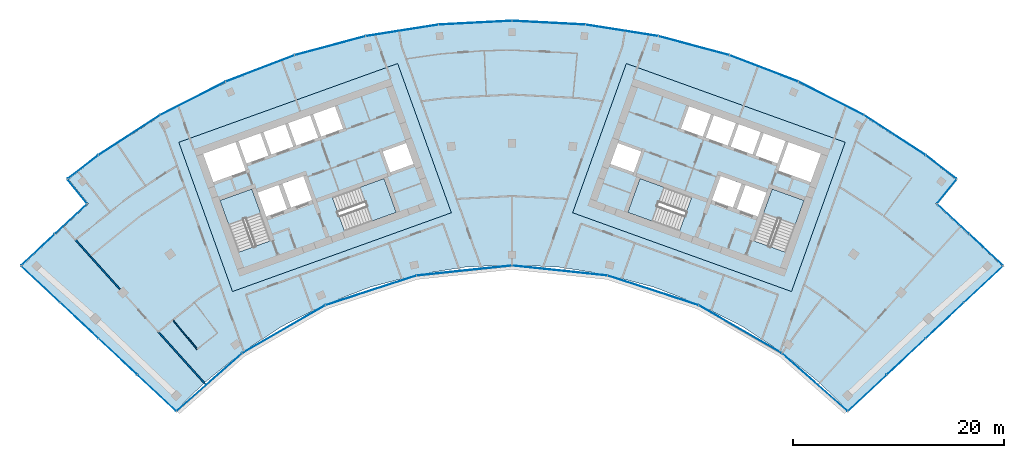
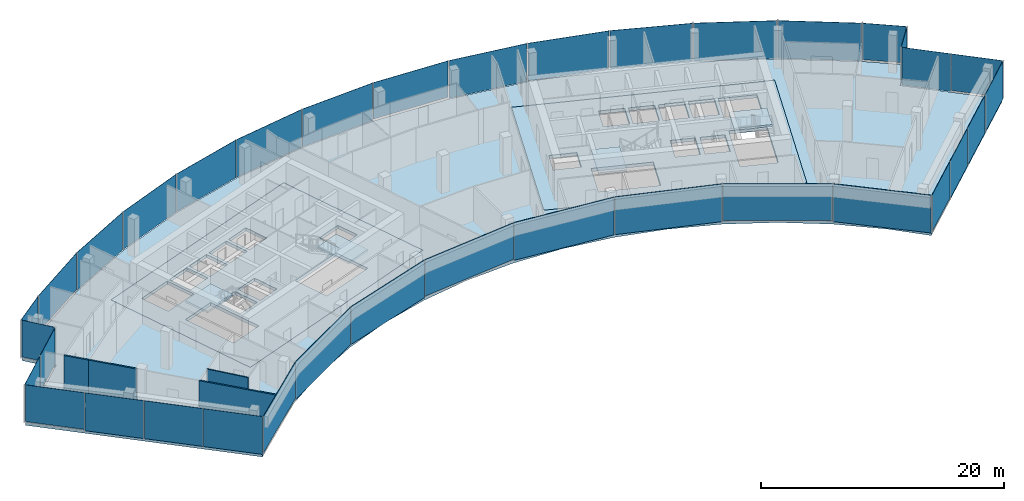
# One storey, part 11 of 18: 36 plates, 7 slabs, 4 walls, 12 elements without a shape of their own.
"""IFC4 building model written with IfcOpenShell, lengths in metres."""

from ifc_helpers import new_model, si_unit, direction, frame, frame_2d, origin, origin_2d, place, context, subcontext, project, spatial, polyline, rectangle, outline, extrude, material, layer, layer_set, type_object, element, aggregate, save


model = new_model("IFC4")

# Units and contexts
model_context = context("Model", 3, precision=1e-05, world=origin(), true_north=direction((0.0, 1.0)))
body_context = subcontext(model_context, "Body", "Model", "MODEL_VIEW")
ifc_project = project(units=[si_unit("LENGTHUNIT", "METRE"), si_unit("AREAUNIT", "SQUARE_METRE"), si_unit("VOLUMEUNIT", "CUBIC_METRE"), si_unit("PLANEANGLEUNIT", "RADIAN"), si_unit("MASSUNIT", "GRAM", prefix="KILO")], contexts=[model_context])

# Site, building, storey
site_placement = place(None, origin())
site = spatial("IfcSite", under=ifc_project, at=site_placement, CompositionType="ELEMENT")
building_placement = place(site_placement, origin())
building = spatial("IfcBuilding", under=site, at=building_placement, Name="Stone Belt Terrace Tower", CompositionType="ELEMENT")
storey_placement = place(building_placement, frame((0.0, 0.0, 265.60009765625)))
storey = spatial("IfcBuildingStorey", under=building, at=storey_placement, Name="L64", CompositionType="ELEMENT", Elevation=265.60009765625)

# Curtain wall, plates
ifc_material_1 = material(Name="Aluminium 6063-T6 anodised frame", Category="aluminium")
ifc_layer_1 = layer(ifc_material_1, 0.14990234375)
ifc_layer_set_1 = layer_set([ifc_layer_1], Name="CW-A unitised convex-face curtain wall")
curtain_wall_type_1 = type_object("IfcCurtainWallType", Name="CW-A unitised convex-face curtain wall", PredefinedType="NOTDEFINED", material=ifc_layer_set_1)
curtain_wall_1_placement = place(storey_placement, origin())
curtain_wall_1 = element("IfcCurtainWall", 1, at=curtain_wall_1_placement, inside=storey, type_object=curtain_wall_type_1, Name="CW-A convex face L64", PredefinedType="NOTDEFINED")
ifc_material_2 = material(Name="Clear double glazed unit")
ifc_layer_2 = layer(ifc_material_2, 0.031982421875)
ifc_layer_set_2 = layer_set([ifc_layer_2], Name="CW-A glass panel 32")
plate_type_1 = type_object("IfcPlateType", Name="CW-A glass panel 32", PredefinedType="CURTAIN_PANEL", material=ifc_layer_set_2)
plate_1_placement = place(storey_placement, frame((40.583251953125, 52.744140625, 0.14013671875), z_axis=(0.0, 0.0, 1.0), x_axis=(-0.792693871824, 0.60961990254, 0.0)))
plate_1 = element("IfcPlate", 2, at=plate_1_placement, type_object=plate_type_1, Name="CW-A panel 1.1", PredefinedType="CURTAIN_PANEL", context=body_context, shape_type="SweptSolid", body=[
    extrude(rectangle(XDim=3.597900390625, YDim=0.031982421875, at=origin_2d()), origin(), (0.0, 0.0, 1.0), 3.659912109375),
])
plate_2_placement = place(storey_placement, frame((36.209716796875, 55.758056640625, 0.0), z_axis=(0.0, 0.0, 1.0), x_axis=(-0.838670567945, 0.544639035015, 0.0)))
plate_2 = element("IfcPlate", 3, at=plate_2_placement, type_object=plate_type_1, Name="CW-A panel 2.1", PredefinedType="CURTAIN_PANEL", context=body_context, shape_type="SweptSolid", body=[
    extrude(rectangle(XDim=6.900634765625, YDim=0.031982421875, at=origin_2d()), origin(), (0.0, 0.0, 1.0), 3.800048828125),
])
plate_3_placement = place(storey_placement, frame((30.18310546875, 59.237548828125, 0.0), z_axis=(0.0, 0.0, 1.0), x_axis=(-0.891006524188, 0.45399049974, 0.0)))
plate_3 = element("IfcPlate", 4, at=plate_3_placement, type_object=plate_type_1, Name="CW-A panel 3.1", PredefinedType="CURTAIN_PANEL", context=body_context, shape_type="SweptSolid", body=[
    extrude(rectangle(XDim=6.90087890625, YDim=0.031982421875, at=origin_2d()), origin(), (0.0, 0.0, 1.0), 3.800048828125),
])
plate_4_placement = place(storey_placement, frame((23.82568359375, 62.068115234375, 0.0), z_axis=(0.0, 0.0, 1.0), x_axis=(-0.933580426497, 0.358367949545, 0.0)))
plate_4 = element("IfcPlate", 5, at=plate_4_placement, type_object=plate_type_1, Name="CW-A panel 4.1", PredefinedType="CURTAIN_PANEL", context=body_context, shape_type="SweptSolid", body=[
    extrude(rectangle(XDim=6.90087890625, YDim=0.031982421875, at=origin_2d()), origin(), (0.0, 0.0, 1.0), 3.800048828125),
])
plate_5_placement = place(storey_placement, frame((17.207275390625, 64.218505859375, 0.0), z_axis=(0.0, 0.0, 1.0), x_axis=(-0.965925826289, 0.258819045103, 0.0)))
plate_5 = element("IfcPlate", 6, at=plate_5_placement, type_object=plate_type_1, Name="CW-A panel 5.1", PredefinedType="CURTAIN_PANEL", context=body_context, shape_type="SweptSolid", body=[
    extrude(rectangle(XDim=6.90087890625, YDim=0.031982421875, at=origin_2d()), origin(), (0.0, 0.0, 1.0), 3.800048828125),
])
plate_6_placement = place(storey_placement, frame((10.400390625, 65.665283203125, 0.0), z_axis=(0.0, 0.0, 1.0), x_axis=(-0.987688340595, 0.15643446504, 0.0)))
plate_6 = element("IfcPlate", 7, at=plate_6_placement, type_object=plate_type_1, Name="CW-A panel 6.1", PredefinedType="CURTAIN_PANEL", context=body_context, shape_type="SweptSolid", body=[
    extrude(rectangle(XDim=6.90087890625, YDim=0.031982421875, at=origin_2d()), origin(), (0.0, 0.0, 1.0), 3.800048828125),
])
plate_7_placement = place(storey_placement, frame((3.4794921875, 66.392822265625, 0.14013671875), z_axis=(0.0, 0.0, 1.0), x_axis=(-0.998629534755, 0.052335956243, 0.0)))
plate_7 = element("IfcPlate", 8, at=plate_7_placement, type_object=plate_type_1, Name="CW-A panel 7.1", PredefinedType="CURTAIN_PANEL", context=body_context, shape_type="SweptSolid", body=[
    extrude(rectangle(XDim=6.90087890625, YDim=0.031982421875, at=origin_2d()), origin(), (0.0, 0.0, 1.0), 3.659912109375),
])
plate_8_placement = place(storey_placement, frame((-3.4794921875, 66.392822265625, 0.0), z_axis=(0.0, 0.0, 1.0), x_axis=(-0.998629534755, -0.052335956243, 0.0)))
plate_8 = element("IfcPlate", 9, at=plate_8_placement, type_object=plate_type_1, Name="CW-A panel 8.1", PredefinedType="CURTAIN_PANEL", context=body_context, shape_type="SweptSolid", body=[
    extrude(rectangle(XDim=6.90087890625, YDim=0.031982421875, at=origin_2d()), origin(), (0.0, 0.0, 1.0), 3.800048828125),
])
plate_9_placement = place(storey_placement, frame((-10.400390625, 65.665283203125, 0.0), z_axis=(0.0, 0.0, 1.0), x_axis=(-0.987688340595, -0.15643446504, 0.0)))
plate_9 = element("IfcPlate", 10, at=plate_9_placement, type_object=plate_type_1, Name="CW-A panel 9.1", PredefinedType="CURTAIN_PANEL", context=body_context, shape_type="SweptSolid", body=[
    extrude(rectangle(XDim=6.90087890625, YDim=0.031982421875, at=origin_2d()), origin(), (0.0, 0.0, 1.0), 3.800048828125),
])
plate_10_placement = place(storey_placement, frame((-17.207275390625, 64.218505859375, 0.0), z_axis=(0.0, 0.0, 1.0), x_axis=(-0.965925826289, -0.258819045103, 0.0)))
plate_10 = element("IfcPlate", 11, at=plate_10_placement, type_object=plate_type_1, Name="CW-A panel 10.1", PredefinedType="CURTAIN_PANEL", context=body_context, shape_type="SweptSolid", body=[
    extrude(rectangle(XDim=6.90087890625, YDim=0.031982421875, at=origin_2d()), origin(), (0.0, 0.0, 1.0), 3.800048828125),
])
plate_11_placement = place(storey_placement, frame((-23.82568359375, 62.068115234375, 0.0), z_axis=(0.0, 0.0, 1.0), x_axis=(-0.933580426497, -0.358367949545, 0.0)))
plate_11 = element("IfcPlate", 12, at=plate_11_placement, type_object=plate_type_1, Name="CW-A panel 11.1", PredefinedType="CURTAIN_PANEL", context=body_context, shape_type="SweptSolid", body=[
    extrude(rectangle(XDim=6.90087890625, YDim=0.031982421875, at=origin_2d()), origin(), (0.0, 0.0, 1.0), 3.800048828125),
])
plate_12_placement = place(storey_placement, frame((-30.18310546875, 59.237548828125, 0.0), z_axis=(0.0, 0.0, 1.0), x_axis=(-0.891006524188, -0.45399049974, 0.0)))
plate_12 = element("IfcPlate", 13, at=plate_12_placement, type_object=plate_type_1, Name="CW-A panel 12.1", PredefinedType="CURTAIN_PANEL", context=body_context, shape_type="SweptSolid", body=[
    extrude(rectangle(XDim=6.90087890625, YDim=0.031982421875, at=origin_2d()), origin(), (0.0, 0.0, 1.0), 3.800048828125),
])
plate_13_placement = place(storey_placement, frame((-36.209716796875, 55.758056640625, 0.14013671875), z_axis=(0.0, 0.0, 1.0), x_axis=(-0.838670567945, -0.544639035015, 0.0)))
plate_13 = element("IfcPlate", 14, at=plate_13_placement, type_object=plate_type_1, Name="CW-A panel 13.1", PredefinedType="CURTAIN_PANEL", context=body_context, shape_type="SweptSolid", body=[
    extrude(rectangle(XDim=6.900634765625, YDim=0.031982421875, at=origin_2d()), origin(), (0.0, 0.0, 1.0), 3.659912109375),
])
plate_14_placement = place(storey_placement, frame((-40.583251953125, 52.744140625, 0.0), z_axis=(0.0, 0.0, 1.0), x_axis=(-0.792693871824, -0.60961990254, 0.0)))
plate_14 = element("IfcPlate", 15, at=plate_14_placement, type_object=plate_type_1, Name="CW-A panel 14.1", PredefinedType="CURTAIN_PANEL", context=body_context, shape_type="SweptSolid", body=[
    extrude(rectangle(XDim=3.597900390625, YDim=0.031982421875, at=origin_2d()), origin(), (0.0, 0.0, 1.0), 3.800048828125),
])
aggregate(curtain_wall_1, [plate_1, plate_2, plate_3, plate_4, plate_5, plate_6, plate_7, plate_8, plate_9, plate_10, plate_11, plate_12, plate_13, plate_14])

ifc_layer_3 = layer(ifc_material_1, 0.14990234375)
ifc_layer_set_3 = layer_set([ifc_layer_3], Name="CW-B unitised concave-face curtain wall")
curtain_wall_type_2 = type_object("IfcCurtainWallType", Name="CW-B unitised concave-face curtain wall", PredefinedType="NOTDEFINED", material=ifc_layer_set_3)
curtain_wall_2_placement = place(storey_placement, origin())
curtain_wall_2 = element("IfcCurtainWall", 16, at=curtain_wall_2_placement, inside=storey, type_object=curtain_wall_type_2, Name="CW-B concave face L64", PredefinedType="NOTDEFINED")
ifc_layer_4 = layer(ifc_material_2, 0.030029296875)
ifc_layer_set_4 = layer_set([ifc_layer_4], Name="CW-B glass panel 30")
plate_type_2 = type_object("IfcPlateType", Name="CW-B glass panel 30", PredefinedType="CURTAIN_PANEL", material=ifc_layer_set_4)
plate_15_placement = place(storey_placement, frame((-28.624755859375, 32.39404296875, 0.1201171875), z_axis=(0.0, 0.0, 1.0), x_axis=(0.749658646805, 0.661824684694, 0.0)))
plate_15 = element("IfcPlate", 17, at=plate_15_placement, type_object=plate_type_2, Name="CW-B panel 1.1", PredefinedType="CURTAIN_PANEL", context=body_context, shape_type="SweptSolid", body=[
    extrude(rectangle(XDim=8.2060546875, YDim=0.030029296875, at=origin_2d()), origin(), (0.0, 0.0, 1.0), 3.679931640625),
])
plate_16_placement = place(storey_placement, frame((-21.59375, 37.400634765625, 0.0), z_axis=(0.0, 0.0, 1.0), x_axis=(0.866025403784, 0.5, 0.0)))
plate_16 = element("IfcPlate", 18, at=plate_16_placement, type_object=plate_type_2, Name="CW-B panel 2.1", PredefinedType="CURTAIN_PANEL", context=body_context, shape_type="SweptSolid", body=[
    extrude(rectangle(XDim=9.013427734375, YDim=0.030029296875, at=origin_2d()), origin(), (0.0, 0.0, 1.0), 3.800048828125),
])
plate_17_placement = place(storey_placement, frame((-13.345458984375, 41.072998046875, 0.0), z_axis=(0.0, 0.0, 1.0), x_axis=(0.951056516295, 0.309016994375, 0.0)))
plate_17 = element("IfcPlate", 19, at=plate_17_placement, type_object=plate_type_2, Name="CW-B panel 3.1", PredefinedType="CURTAIN_PANEL", context=body_context, shape_type="SweptSolid", body=[
    extrude(rectangle(XDim=9.0126953125, YDim=0.030029296875, at=origin_2d()), origin(), (0.0, 0.0, 1.0), 3.800048828125),
])
plate_18_placement = place(storey_placement, frame((-4.51416015625, 42.9501953125, 0.1201171875), z_axis=(0.0, 0.0, 1.0), x_axis=(0.994521895368, 0.104528463268, 0.0)))
plate_18 = element("IfcPlate", 20, at=plate_18_placement, type_object=plate_type_2, Name="CW-B panel 4.1", PredefinedType="CURTAIN_PANEL", context=body_context, shape_type="SweptSolid", body=[
    extrude(rectangle(XDim=9.0126953125, YDim=0.030029296875, at=origin_2d()), origin(), (0.0, 0.0, 1.0), 3.679931640625),
])
plate_19_placement = place(storey_placement, frame((4.51416015625, 42.9501953125, 0.0), z_axis=(0.0, 0.0, 1.0), x_axis=(0.994521895368, -0.104528463268, 0.0)))
plate_19 = element("IfcPlate", 21, at=plate_19_placement, type_object=plate_type_2, Name="CW-B panel 5.1", PredefinedType="CURTAIN_PANEL", context=body_context, shape_type="SweptSolid", body=[
    extrude(rectangle(XDim=9.0126953125, YDim=0.030029296875, at=origin_2d()), origin(), (0.0, 0.0, 1.0), 3.800048828125),
])
plate_20_placement = place(storey_placement, frame((13.345458984375, 41.072998046875, 0.0), z_axis=(0.0, 0.0, 1.0), x_axis=(0.951056516295, -0.309016994375, 0.0)))
plate_20 = element("IfcPlate", 22, at=plate_20_placement, type_object=plate_type_2, Name="CW-B panel 6.1", PredefinedType="CURTAIN_PANEL", context=body_context, shape_type="SweptSolid", body=[
    extrude(rectangle(XDim=9.0126953125, YDim=0.030029296875, at=origin_2d()), origin(), (0.0, 0.0, 1.0), 3.800048828125),
])
plate_21_placement = place(storey_placement, frame((21.59375, 37.400634765625, 0.1201171875), z_axis=(0.0, 0.0, 1.0), x_axis=(0.866025403784, -0.5, 0.0)))
plate_21 = element("IfcPlate", 23, at=plate_21_placement, type_object=plate_type_2, Name="CW-B panel 7.1", PredefinedType="CURTAIN_PANEL", context=body_context, shape_type="SweptSolid", body=[
    extrude(rectangle(XDim=9.013427734375, YDim=0.030029296875, at=origin_2d()), origin(), (0.0, 0.0, 1.0), 3.679931640625),
])
plate_22_placement = place(storey_placement, frame((28.624755859375, 32.39404296875, 0.0), z_axis=(0.0, 0.0, 1.0), x_axis=(0.749658646805, -0.661824684694, 0.0)))
plate_22 = element("IfcPlate", 24, at=plate_22_placement, type_object=plate_type_2, Name="CW-B panel 8.1", PredefinedType="CURTAIN_PANEL", context=body_context, shape_type="SweptSolid", body=[
    extrude(rectangle(XDim=8.2060546875, YDim=0.030029296875, at=origin_2d()), origin(), (0.0, 0.0, 1.0), 3.800048828125),
])
aggregate(curtain_wall_2, [plate_15, plate_16, plate_17, plate_18, plate_19, plate_20, plate_21, plate_22])

ifc_layer_5 = layer(ifc_material_1, 0.14990234375)
ifc_layer_set_5 = layer_set([ifc_layer_5], Name="CW-C stick curtain wall, horn ends and notches")
curtain_wall_type_3 = type_object("IfcCurtainWallType", Name="CW-C stick curtain wall, horn ends and notches", PredefinedType="NOTDEFINED", material=ifc_layer_set_5)
curtain_wall_3_placement = place(storey_placement, origin())
curtain_wall_3 = element("IfcCurtainWall", 25, at=curtain_wall_3_placement, inside=storey, type_object=curtain_wall_type_3, Name="CW-C end face L64", PredefinedType="NOTDEFINED")
ifc_layer_6 = layer(ifc_material_2, 0.028076171875)
ifc_layer_set_6 = layer_set([ifc_layer_6], Name="CW-C glass panel 28")
plate_type_3 = type_object("IfcPlateType", Name="CW-C glass panel 28", PredefinedType="CURTAIN_PANEL", material=ifc_layer_set_6)
plate_23_placement = place(storey_placement, frame((33.617431640625, 31.3798828125, 0.1201171875), z_axis=(0.0, 0.0, 1.0), x_axis=(0.729904219708, 0.683549434973, 0.0)))
plate_23 = element("IfcPlate", 26, at=plate_23_placement, type_object=plate_type_3, Name="CW-C panel 1.1", PredefinedType="CURTAIN_PANEL", context=body_context, shape_type="SweptSolid", body=[
    extrude(rectangle(XDim=4.965576171875, YDim=0.028076171875, at=origin_2d()), origin(), (0.0, 0.0, 1.0), 3.679931640625),
])
plate_24_placement = place(storey_placement, frame((37.2763671875, 34.806396484375, 0.0), z_axis=(0.0, 0.0, 1.0), x_axis=(0.729904219708, 0.683549434973, 0.0)))
plate_24 = element("IfcPlate", 27, at=plate_24_placement, type_object=plate_type_3, Name="CW-C panel 2.1", PredefinedType="CURTAIN_PANEL", context=body_context, shape_type="SweptSolid", body=[
    extrude(rectangle(XDim=4.93994140625, YDim=0.028076171875, at=origin_2d()), origin(), (0.0, 0.0, 1.0), 3.800048828125),
])
plate_25_placement = place(storey_placement, frame((40.92578125, 38.22412109375, 0.0), z_axis=(0.0, 0.0, 1.0), x_axis=(0.729904219708, 0.683549434973, 0.0)))
plate_25 = element("IfcPlate", 28, at=plate_25_placement, type_object=plate_type_3, Name="CW-C panel 3.1", PredefinedType="CURTAIN_PANEL", context=body_context, shape_type="SweptSolid", body=[
    extrude(rectangle(XDim=4.93994140625, YDim=0.028076171875, at=origin_2d()), origin(), (0.0, 0.0, 1.0), 3.800048828125),
])
plate_26_placement = place(storey_placement, frame((44.588134765625, 41.65380859375, 0.0), z_axis=(0.0, 0.0, 1.0), x_axis=(0.729904219708, 0.683549434973, 0.0)))
plate_26 = element("IfcPlate", 29, at=plate_26_placement, type_object=plate_type_3, Name="CW-C panel 4.1", PredefinedType="CURTAIN_PANEL", context=body_context, shape_type="SweptSolid", body=[
    extrude(rectangle(XDim=4.974853515625, YDim=0.028076171875, at=origin_2d()), origin(), (0.0, 0.0, 1.0), 3.800048828125),
])
aggregate(curtain_wall_3, [plate_23, plate_24, plate_25, plate_26])

curtain_wall_4_placement = place(storey_placement, origin())
curtain_wall_4 = element("IfcCurtainWall", 30, at=curtain_wall_4_placement, inside=storey, type_object=curtain_wall_type_3, Name="CW-C notch face L64", PredefinedType="NOTDEFINED")
plate_27_placement = place(storey_placement, frame((44.8427734375, 44.91259765625, 0.1201171875), z_axis=(0.0, 0.0, 1.0), x_axis=(-0.731339333871, 0.682013767261, 0.0)))
plate_27 = element("IfcPlate", 31, at=plate_27_placement, type_object=plate_type_3, Name="CW-C panel 1.1", PredefinedType="CURTAIN_PANEL", context=body_context, shape_type="SweptSolid", body=[
    extrude(rectangle(XDim=4.268798828125, YDim=0.028076171875, at=origin_2d()), origin(), (0.0, 0.0, 1.0), 3.679931640625),
])
plate_28_placement = place(storey_placement, frame((41.731201171875, 47.814208984375, 0.0), z_axis=(0.0, 0.0, 1.0), x_axis=(-0.731339333871, 0.682013767261, 0.0)))
plate_28 = element("IfcPlate", 32, at=plate_28_placement, type_object=plate_type_3, Name="CW-C panel 2.1", PredefinedType="CURTAIN_PANEL", context=body_context, shape_type="SweptSolid", body=[
    extrude(rectangle(XDim=4.12060546875, YDim=0.028076171875, at=origin_2d()), origin(), (0.0, 0.0, 1.0), 3.800048828125),
])
aggregate(curtain_wall_4, [plate_27, plate_28])

# Curtain wall, plate
curtain_wall_5_placement = place(storey_placement, origin())
curtain_wall_5 = element("IfcCurtainWall", 33, at=curtain_wall_5_placement, inside=storey, type_object=curtain_wall_type_3, Name="CW-C notch face L64", PredefinedType="NOTDEFINED")
plate_29_placement = place(storey_placement, frame((41.119140625, 50.43505859375, 0.1201171875), z_axis=(0.0, 0.0, 1.0), x_axis=(0.631001485542, 0.775781622136, 0.0)))
plate_29 = element("IfcPlate", 34, at=plate_29_placement, type_object=plate_type_3, Name="CW-C panel 1.1", PredefinedType="CURTAIN_PANEL", context=body_context, shape_type="SweptSolid", body=[
    extrude(rectangle(XDim=2.859130859375, YDim=0.028076171875, at=origin_2d()), origin(), (0.0, 0.0, 1.0), 3.679931640625),
])
aggregate(curtain_wall_5, [plate_29])

curtain_wall_6_placement = place(storey_placement, origin())
curtain_wall_6 = element("IfcCurtainWall", 35, at=curtain_wall_6_placement, inside=storey, type_object=curtain_wall_type_3, Name="CW-C notch face L64", PredefinedType="NOTDEFINED")
plate_30_placement = place(storey_placement, frame((-41.119140625, 50.43505859375, 0.1201171875), z_axis=(0.0, 0.0, 1.0), x_axis=(0.631001485542, -0.775781622136, 0.0)))
plate_30 = element("IfcPlate", 36, at=plate_30_placement, type_object=plate_type_3, Name="CW-C panel 1.1", PredefinedType="CURTAIN_PANEL", context=body_context, shape_type="SweptSolid", body=[
    extrude(rectangle(XDim=2.859130859375, YDim=0.028076171875, at=origin_2d()), origin(), (0.0, 0.0, 1.0), 3.679931640625),
])
aggregate(curtain_wall_6, [plate_30])

# Curtain wall, plates
curtain_wall_7_placement = place(storey_placement, origin())
curtain_wall_7 = element("IfcCurtainWall", 37, at=curtain_wall_7_placement, inside=storey, type_object=curtain_wall_type_3, Name="CW-C notch face L64", PredefinedType="NOTDEFINED")
plate_31_placement = place(storey_placement, frame((-41.731201171875, 47.814208984375, 0.1201171875), z_axis=(0.0, 0.0, 1.0), x_axis=(-0.731339333871, -0.682013767261, 0.0)))
plate_31 = element("IfcPlate", 38, at=plate_31_placement, type_object=plate_type_3, Name="CW-C panel 1.1", PredefinedType="CURTAIN_PANEL", context=body_context, shape_type="SweptSolid", body=[
    extrude(rectangle(XDim=4.12060546875, YDim=0.028076171875, at=origin_2d()), origin(), (0.0, 0.0, 1.0), 3.679931640625),
])
plate_32_placement = place(storey_placement, frame((-44.8427734375, 44.91259765625, 0.0), z_axis=(0.0, 0.0, 1.0), x_axis=(-0.731339333871, -0.682013767261, 0.0)))
plate_32 = element("IfcPlate", 39, at=plate_32_placement, type_object=plate_type_3, Name="CW-C panel 2.1", PredefinedType="CURTAIN_PANEL", context=body_context, shape_type="SweptSolid", body=[
    extrude(rectangle(XDim=4.268798828125, YDim=0.028076171875, at=origin_2d()), origin(), (0.0, 0.0, 1.0), 3.800048828125),
])
aggregate(curtain_wall_7, [plate_31, plate_32])

curtain_wall_8_placement = place(storey_placement, origin())
curtain_wall_8 = element("IfcCurtainWall", 40, at=curtain_wall_8_placement, inside=storey, type_object=curtain_wall_type_3, Name="CW-C end face L64", PredefinedType="NOTDEFINED")
plate_33_placement = place(storey_placement, frame((-44.588134765625, 41.65380859375, 0.1201171875), z_axis=(0.0, 0.0, 1.0), x_axis=(0.729904219708, -0.683549434973, 0.0)))
plate_33 = element("IfcPlate", 41, at=plate_33_placement, type_object=plate_type_3, Name="CW-C panel 1.1", PredefinedType="CURTAIN_PANEL", context=body_context, shape_type="SweptSolid", body=[
    extrude(rectangle(XDim=4.974853515625, YDim=0.028076171875, at=origin_2d()), origin(), (0.0, 0.0, 1.0), 3.679931640625),
])
plate_34_placement = place(storey_placement, frame((-40.92578125, 38.22412109375, 0.0), z_axis=(0.0, 0.0, 1.0), x_axis=(0.729904219708, -0.683549434973, 0.0)))
plate_34 = element("IfcPlate", 42, at=plate_34_placement, type_object=plate_type_3, Name="CW-C panel 2.1", PredefinedType="CURTAIN_PANEL", context=body_context, shape_type="SweptSolid", body=[
    extrude(rectangle(XDim=4.93994140625, YDim=0.028076171875, at=origin_2d()), origin(), (0.0, 0.0, 1.0), 3.800048828125),
])
plate_35_placement = place(storey_placement, frame((-37.2763671875, 34.806396484375, 0.0), z_axis=(0.0, 0.0, 1.0), x_axis=(0.729904219708, -0.683549434973, 0.0)))
plate_35 = element("IfcPlate", 43, at=plate_35_placement, type_object=plate_type_3, Name="CW-C panel 3.1", PredefinedType="CURTAIN_PANEL", context=body_context, shape_type="SweptSolid", body=[
    extrude(rectangle(XDim=4.93994140625, YDim=0.028076171875, at=origin_2d()), origin(), (0.0, 0.0, 1.0), 3.800048828125),
])
plate_36_placement = place(storey_placement, frame((-33.617431640625, 31.3798828125, 0.0), z_axis=(0.0, 0.0, 1.0), x_axis=(0.729904219708, -0.683549434973, 0.0)))
plate_36 = element("IfcPlate", 44, at=plate_36_placement, type_object=plate_type_3, Name="CW-C panel 4.1", PredefinedType="CURTAIN_PANEL", context=body_context, shape_type="SweptSolid", body=[
    extrude(rectangle(XDim=4.965576171875, YDim=0.028076171875, at=origin_2d()), origin(), (0.0, 0.0, 1.0), 3.800048828125),
])
aggregate(curtain_wall_8, [plate_33, plate_34, plate_35, plate_36])

# Slabs
ifc_material_3 = material(Name="Concrete B40", Category="concrete")
ifc_layer_7 = layer(ifc_material_3, 0.320068359375)
ifc_layer_set_7 = layer_set([ifc_layer_7], Name="Core floor slab 320")
slab_type_1 = type_object("IfcSlabType", Name="Core floor slab 320", PredefinedType="FLOOR", material=ifc_layer_set_7)
slab_1_placement = place(storey_placement, frame((0.0, 0.0, -0.320068359375)))
element("IfcSlab", 45, at=slab_1_placement, inside=storey, type_object=slab_type_1, Name="Core A floor L64", PredefinedType="FLOOR", context=body_context, shape_type="SweptSolid", body=[
    extrude(outline(polyline([(-26.43505859375, 40.968994140625), (-5.735107421875, 48.4189453125), (-10.81396484375, 62.531982421875), (-31.513916015625, 55.0830078125), (-26.43505859375, 40.968994140625)]), holes=[polyline([(-24.60791015625, 50.659912109375), (-22.847900390625, 45.76806640625), (-25.85888671875, 44.68408203125), (-27.618896484375, 49.575927734375), (-24.60791015625, 50.659912109375)]), polyline([(-10.955078125, 48.452880859375), (-15.846923828125, 46.69189453125), (-16.998046875, 49.89208984375), (-12.10595703125, 51.652099609375), (-10.955078125, 48.452880859375)]), polyline([(-22.0869140625, 51.035888671875), (-21.27392578125, 48.778076171875), (-23.25, 48.06689453125), (-24.06298828125, 50.324951171875), (-22.0869140625, 51.035888671875)]), polyline([(-18.922119140625, 49.6240234375), (-20.89794921875, 48.9130859375), (-21.7109375, 51.1708984375), (-19.735107421875, 51.883056640625), (-18.922119140625, 49.6240234375)]), polyline([(-29.2109375, 53.9990234375), (-26.153076171875, 55.09912109375), (-25.18798828125, 52.41796875), (-28.24609375, 51.31689453125), (-29.2109375, 53.9990234375)]), polyline([(-10.01904296875, 55.007080078125), (-9.30810546875, 53.031005859375), (-11.51904296875, 52.235107421875), (-12.22998046875, 54.2109375), (-10.01904296875, 55.007080078125)]), polyline([(-25.87109375, 55.200927734375), (-23.801025390625, 55.946044921875), (-23.0390625, 53.8291015625), (-25.10888671875, 53.083984375), (-25.87109375, 55.200927734375)]), polyline([(-23.51806640625, 56.047119140625), (-21.447998046875, 56.7919921875), (-20.68603515625, 54.675048828125), (-22.756103515625, 53.929931640625), (-23.51806640625, 56.047119140625)]), polyline([(-19.095947265625, 57.638916015625), (-18.333984375, 55.52197265625), (-20.404052734375, 54.777099609375), (-21.166015625, 56.89404296875), (-19.095947265625, 57.638916015625)]), polyline([(-16.743896484375, 58.485107421875), (-15.98193359375, 56.367919921875), (-18.052001953125, 55.623046875), (-18.81396484375, 57.739990234375), (-16.743896484375, 58.485107421875)])]), origin(), (0.0, 0.0, 1.0), 0.320068359375),
])
slab_2_placement = place(storey_placement, frame((0.0, 0.0, -0.320068359375)))
element("IfcSlab", 46, at=slab_2_placement, inside=storey, type_object=slab_type_1, Name="Core B floor L64", PredefinedType="FLOOR", context=body_context, shape_type="SweptSolid", body=[
    extrude(outline(polyline([(26.43505859375, 40.968994140625), (31.513916015625, 55.0830078125), (10.81396484375, 62.531982421875), (5.735107421875, 48.4189453125), (26.43505859375, 40.968994140625)]), holes=[polyline([(27.618896484375, 49.575927734375), (25.85888671875, 44.68408203125), (22.847900390625, 45.76806640625), (24.60791015625, 50.659912109375), (27.618896484375, 49.575927734375)]), polyline([(12.10595703125, 51.652099609375), (16.998046875, 49.89208984375), (15.846923828125, 46.69189453125), (10.955078125, 48.452880859375), (12.10595703125, 51.652099609375)]), polyline([(23.25, 48.06689453125), (21.27392578125, 48.778076171875), (22.0869140625, 51.035888671875), (24.06298828125, 50.324951171875), (23.25, 48.06689453125)]), polyline([(18.922119140625, 49.6240234375), (19.735107421875, 51.883056640625), (21.7109375, 51.1708984375), (20.89794921875, 48.9130859375), (18.922119140625, 49.6240234375)]), polyline([(29.2109375, 53.9990234375), (28.24609375, 51.31689453125), (25.18798828125, 52.41796875), (26.153076171875, 55.09912109375), (29.2109375, 53.9990234375)]), polyline([(11.51904296875, 52.235107421875), (9.30810546875, 53.031005859375), (10.01904296875, 55.007080078125), (12.22998046875, 54.2109375), (11.51904296875, 52.235107421875)]), polyline([(23.0390625, 53.8291015625), (23.801025390625, 55.946044921875), (25.87109375, 55.200927734375), (25.10888671875, 53.083984375), (23.0390625, 53.8291015625)]), polyline([(20.68603515625, 54.675048828125), (21.447998046875, 56.7919921875), (23.51806640625, 56.047119140625), (22.756103515625, 53.929931640625), (20.68603515625, 54.675048828125)]), polyline([(19.095947265625, 57.638916015625), (21.166015625, 56.89404296875), (20.404052734375, 54.777099609375), (18.333984375, 55.52197265625), (19.095947265625, 57.638916015625)]), polyline([(16.743896484375, 58.485107421875), (18.81396484375, 57.739990234375), (18.052001953125, 55.623046875), (15.98193359375, 56.367919921875), (16.743896484375, 58.485107421875)])]), origin(), (0.0, 0.0, 1.0), 0.320068359375),
])
ifc_layer_8 = layer(ifc_material_3, 0.320068359375)
ifc_layer_set_8 = layer_set([ifc_layer_8], Name="Floor slab 320 B40")
slab_type_2 = type_object("IfcSlabType", Name="Floor slab 320 B40", PredefinedType="FLOOR", material=ifc_layer_set_8)
slab_3_placement = place(storey_placement, frame((0.0, 0.0, -0.320068359375)))
element("IfcSlab", 47, at=slab_3_placement, inside=storey, type_object=slab_type_2, Name="Floor slab L64", PredefinedType="FLOOR", context=body_context, shape_type="SweptSolid", body=[
    extrude(outline(polyline([(-40.068603515625, 49.26220703125), (-41.961669921875, 51.589599609375), (-39.087646484375, 53.799560546875), (-33.25, 57.5908203125), (-27.048095703125, 60.750732421875), (-20.549560546875, 63.245361328125), (-13.826171875, 65.046875), (-6.951171875, 66.1357421875), (0.0, 66.5), (6.951171875, 66.1357421875), (13.826171875, 65.046875), (20.549560546875, 63.245361328125), (27.048095703125, 60.750732421875), (33.25, 57.5908203125), (39.087646484375, 53.799560546875), (41.961669921875, 51.589599609375), (40.068603515625, 49.26220703125), (46.348876953125, 43.405517578125), (31.750732421875, 29.734375), (29.107177734375, 32.326904296875), (25.568603515625, 35.192138671875), (21.75, 37.672119140625), (17.693115234375, 39.7392578125), (13.442138671875, 41.37109375), (9.044189453125, 42.54931640625), (4.547119140625, 43.26171875), (0.0, 43.5), (-4.547119140625, 43.26171875), (-9.044189453125, 42.54931640625), (-13.442138671875, 41.37109375), (-17.693115234375, 39.7392578125), (-21.75, 37.672119140625), (-25.568603515625, 35.192138671875), (-29.107177734375, 32.326904296875), (-31.750732421875, 29.734375), (-46.348876953125, 43.405517578125), (-40.068603515625, 49.26220703125)]), holes=[polyline([(-10.81396484375, 62.532470703125), (-31.51416015625, 55.082763671875), (-26.434814453125, 40.968994140625), (-5.734619140625, 48.418701171875), (-10.81396484375, 62.532470703125)]), polyline([(26.434814453125, 40.968994140625), (31.51416015625, 55.082763671875), (10.81396484375, 62.532470703125), (5.734619140625, 48.418701171875), (26.434814453125, 40.968994140625)])]), origin(), (0.0, 0.0, 1.0), 0.320068359375),
])

# Stair, slab
stair_type = type_object("IfcStairType", Name="Exit stair 1500", PredefinedType="HALF_TURN_STAIR", material=ifc_material_3)
stair_1_placement = place(storey_placement, origin())
stair_1 = element("IfcStair", 48, at=stair_1_placement, inside=storey, type_object=stair_type, Name="L64 Exit stair 1 core A", PredefinedType="HALF_TURN_STAIR")
ifc_layer_9 = layer(ifc_material_3, 0.199951171875)
ifc_layer_set_9 = layer_set([ifc_layer_9], Name="Stair landing 200")
slab_type_3 = type_object("IfcSlabType", Name="Stair landing 200", PredefinedType="LANDING", material=ifc_layer_set_9)
slab_4_placement = place(storey_placement, frame((0.0, 0.0, 1.699951171875)))
slab_4 = element("IfcSlab", 49, at=slab_4_placement, type_object=slab_type_3, Name="ST1A landing 1", PredefinedType="LANDING", context=body_context, shape_type="SweptSolid", body=[
    extrude(outline(polyline([(-23.79541015625, 48.40087890625), (-24.6083984375, 50.659912109375), (-27.619384765625, 49.576171875), (-26.806396484375, 47.3173828125), (-23.79541015625, 48.40087890625)])), origin(), (0.0, 0.0, 1.0), 0.199951171875),
])
aggregate(stair_1, [slab_4])

stair_2_placement = place(storey_placement, origin())
stair_2 = element("IfcStair", 50, at=stair_2_placement, inside=storey, type_object=stair_type, Name="L64 Exit stair 2 core A", PredefinedType="HALF_TURN_STAIR")
slab_5_placement = place(storey_placement, frame((0.0, 0.0, 1.699951171875)))
slab_5 = element("IfcSlab", 51, at=slab_5_placement, type_object=slab_type_3, Name="ST2A landing 1", PredefinedType="LANDING", context=body_context, shape_type="SweptSolid", body=[
    extrude(outline(polyline([(-13.213623046875, 47.64013671875), (-10.95458984375, 48.453125), (-12.10595703125, 51.652099609375), (-14.36474609375, 50.839111328125), (-13.213623046875, 47.64013671875)])), origin(), (0.0, 0.0, 1.0), 0.199951171875),
])
aggregate(stair_2, [slab_5])

stair_3_placement = place(storey_placement, origin())
stair_3 = element("IfcStair", 52, at=stair_3_placement, inside=storey, type_object=stair_type, Name="L64 Exit stair 1 core B", PredefinedType="HALF_TURN_STAIR")
slab_6_placement = place(storey_placement, frame((0.0, 0.0, 1.699951171875)))
slab_6 = element("IfcSlab", 53, at=slab_6_placement, type_object=slab_type_3, Name="ST1B landing 1", PredefinedType="LANDING", context=body_context, shape_type="SweptSolid", body=[
    extrude(outline(polyline([(26.806396484375, 47.3173828125), (27.619384765625, 49.576171875), (24.6083984375, 50.659912109375), (23.79541015625, 48.40087890625), (26.806396484375, 47.3173828125)])), origin(), (0.0, 0.0, 1.0), 0.199951171875),
])
aggregate(stair_3, [slab_6])

stair_4_placement = place(storey_placement, origin())
stair_4 = element("IfcStair", 54, at=stair_4_placement, inside=storey, type_object=stair_type, Name="L64 Exit stair 2 core B", PredefinedType="HALF_TURN_STAIR")
slab_7_placement = place(storey_placement, frame((0.0, 0.0, 1.699951171875)))
slab_7 = element("IfcSlab", 55, at=slab_7_placement, type_object=slab_type_3, Name="ST2B landing 1", PredefinedType="LANDING", context=body_context, shape_type="SweptSolid", body=[
    extrude(outline(polyline([(14.36474609375, 50.839111328125), (12.10595703125, 51.652099609375), (10.95458984375, 48.453125), (13.213623046875, 47.64013671875), (14.36474609375, 50.839111328125)])), origin(), (0.0, 0.0, 1.0), 0.199951171875),
])
aggregate(stair_4, [slab_7])

# Walls
ifc_material_4 = material(Name="Gypsum board partition")
ifc_layer_10 = layer(ifc_material_4, 0.10009765625)
ifc_layer_set_10 = layer_set([ifc_layer_10], Name="PARTITION 100")
wall_type_1 = type_object("IfcWallType", Name="PARTITION 100", PredefinedType="PARTITIONING", material=ifc_layer_set_10)
wall_1_placement = place(storey_placement, frame((-32.08203125, 38.27001953125, 0.0), z_axis=(0.0, 0.0, 1.0), x_axis=(0.642365389825, -0.766398529458, 0.0)))
element("IfcWall", 56, at=wall_1_placement, inside=storey, type_object=wall_type_1, Name="L64/wall/i047", PredefinedType="PARTITIONING", context=body_context, shape_type="SweptSolid", body=[
    extrude(rectangle(XDim=3.59619140625, YDim=0.10009765625, at=frame_2d((1.798095703125, 0.0))), origin(), (0.0, 0.0, 1.0), 3.47998046875),
])
ifc_layer_11 = layer(ifc_material_4, 0.14990234375)
ifc_layer_set_11 = layer_set([ifc_layer_11], Name="PARTITION 150 EI 60")
wall_type_2 = type_object("IfcWallType", Name="PARTITION 150 EI 60", PredefinedType="PARTITIONING", material=ifc_layer_set_11)
wall_2_placement = place(storey_placement, frame((-33.4609375, 37.160888671875, 0.0), z_axis=(0.0, 0.0, 1.0), x_axis=(0.669149941442, -0.743127415635, 0.0)))
element("IfcWall", 57, at=wall_2_placement, inside=storey, type_object=wall_type_2, Name="L64/wall/i042", PredefinedType="PARTITIONING", context=body_context, shape_type="SweptSolid", body=[
    extrude(rectangle(XDim=6.699462890625, YDim=0.14990234375, at=frame_2d((3.349609375, 0.0))), origin(), (0.0, 0.0, 1.0), 3.47998046875),
])
wall_3_placement = place(storey_placement, frame((-41.282958984375, 45.84912109375, 0.0), z_axis=(0.0, 0.0, 1.0), x_axis=(0.668983971607, -0.743276829811, 0.0)))
element("IfcWall", 58, at=wall_3_placement, inside=storey, type_object=wall_type_2, Name="L64/wall/i043", PredefinedType="PARTITIONING", context=body_context, shape_type="SweptSolid", body=[
    extrude(rectangle(XDim=2.103271484375, YDim=0.14990234375, at=frame_2d((1.0517578125, 0.0))), origin(), (0.0, 0.0, 1.0), 3.47998046875),
])
wall_4_placement = place(storey_placement, frame((-39.884033203125, 44.294921875, 0.0), z_axis=(0.0, 0.0, 1.0), x_axis=(0.669123017422, -0.743151658517, 0.0)))
element("IfcWall", 59, at=wall_4_placement, inside=storey, type_object=wall_type_2, Name="L64/wall/i045", PredefinedType="PARTITIONING", context=body_context, shape_type="SweptSolid", body=[
    extrude(rectangle(XDim=4.175048828125, YDim=0.14990234375, at=frame_2d((2.08740234375, 0.0))), origin(), (0.0, 0.0, 1.0), 3.47998046875),
])

save(model, "model.ifc")
